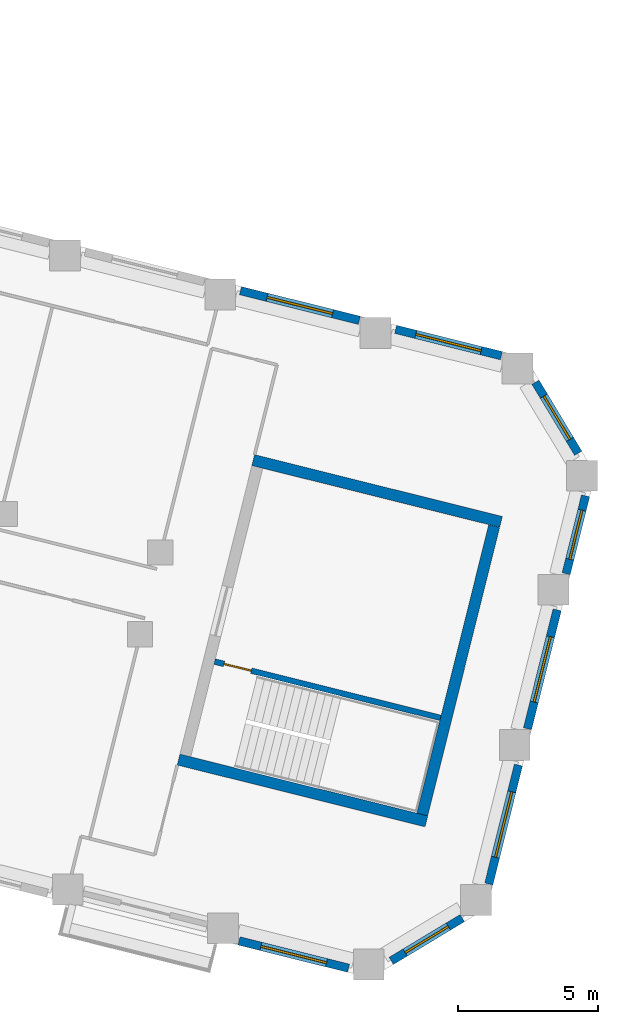
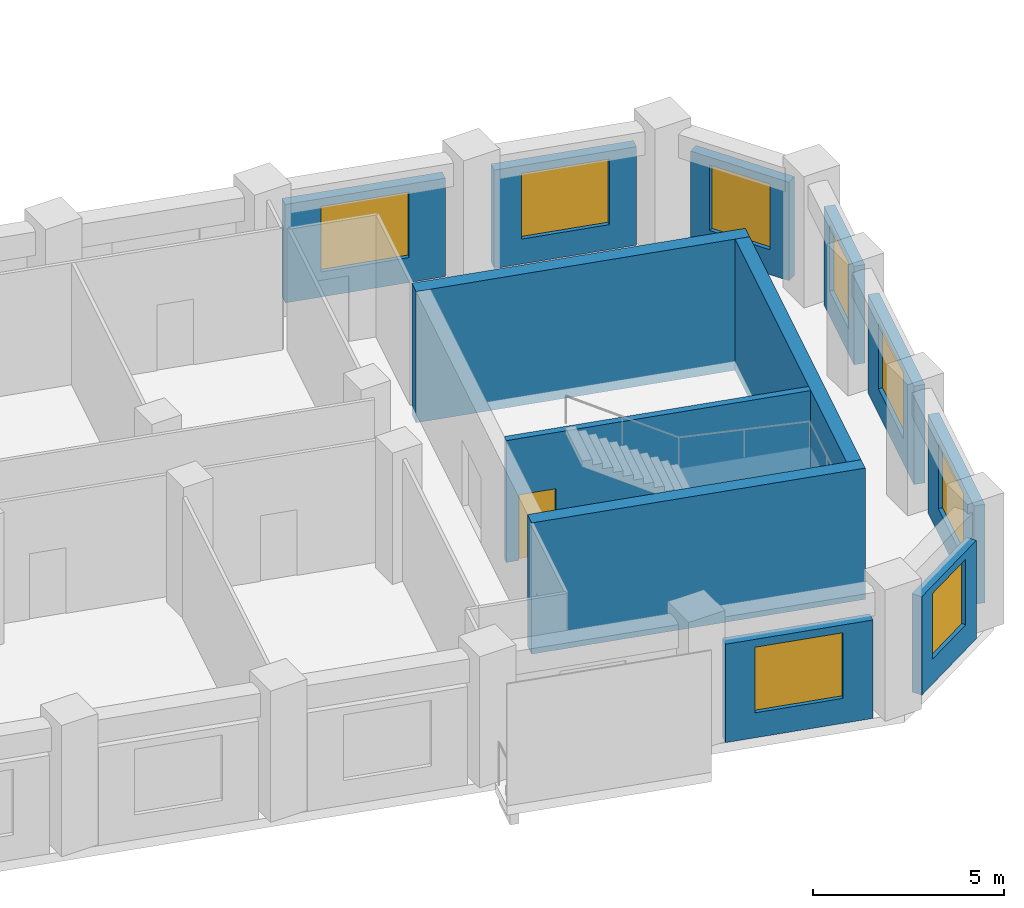
# One storey, part 7 of 10: 12 walls, 8 windows, 1 door, 9 openings.
"""IFC4 building model written with IfcOpenShell, lengths in metres."""

from ifc_helpers import new_model, si_unit, direction, frame, frame_2d, origin, place, context, subcontext, project, spatial, rectangle, extrude, material, layer, layer_set, type_object, element, fill, save


model = new_model("IFC4")

# Units and contexts
model_context = context("Model", 3, precision=1e-05, world=origin(), true_north=direction((0.0, 1.0)))
body_context = subcontext(model_context, "Body", "Model", "MODEL_VIEW")
ifc_project = project(units=[si_unit("LENGTHUNIT", "METRE"), si_unit("AREAUNIT", "SQUARE_METRE"), si_unit("VOLUMEUNIT", "CUBIC_METRE"), si_unit("PLANEANGLEUNIT", "RADIAN"), si_unit("MASSUNIT", "GRAM", prefix="KILO")], contexts=[model_context])

# Site, building, storey
site_placement = place(None, origin())
site = spatial("IfcSite", under=ifc_project, at=site_placement, CompositionType="ELEMENT")
building_placement = place(site_placement, origin())
building = spatial("IfcBuilding", under=site, at=building_placement, Name="Meshkara Civic Tower", CompositionType="ELEMENT")
storey_placement = place(building_placement, frame((0.0, 0.0, 263.39990234375)))
storey = spatial("IfcBuildingStorey", under=building, at=storey_placement, Name="L60", CompositionType="ELEMENT", Elevation=263.39990234375)

# Wall, opening, window
ifc_material_1 = material(Name="Insulated infill panel with bronze anodised aluminium cladding", Category="aluminium")
ifc_layer_1 = layer(ifc_material_1, 0.300048828125)
ifc_layer_set_1 = layer_set([ifc_layer_1], Name="EXTERNAL INFILL WALL 300")
wall_type_1 = type_object("IfcWallType", Name="EXTERNAL INFILL WALL 300", PredefinedType="SOLIDWALL", material=ifc_layer_set_1)
wall_1_placement = place(storey_placement, frame((71.02001953125, 5.635986328125, 0.0), z_axis=(0.0, 0.0, 1.0), x_axis=(-0.970297701374, 0.241913973777, 0.0)))
wall_1 = element("IfcWall", 1, at=wall_1_placement, inside=storey, type_object=wall_type_1, Name="External wall", PredefinedType="SOLIDWALL", context=body_context, shape_type="SweptSolid", body=[
    extrude(rectangle(XDim=3.88134765625, YDim=0.300048828125, at=frame_2d((1.940673828125, 0.0))), origin(), (0.0, 0.0, 1.0), 3.150146484375),
])
opening_1_placement = place(wall_1_placement, frame((0.740966796875, 0.0, 0.800048828125)))
opening_1 = element("IfcOpeningElement", 2, at=opening_1_placement, cuts=wall_1, Name="Opening W7", PredefinedType="OPENING", context=body_context, shape_type="SweptSolid", body=[
    extrude(rectangle(XDim=2.39990234375, YDim=2.10009765625, at=frame_2d((1.199951171875, 1.050048828125))), frame((0.0, 0.159912109375, 0.0), z_axis=(0.0, -1.0, 0.0), x_axis=(1.0, 0.0, 0.0)), (0.0, 0.0, 1.0), 0.320068359375),
])
ifc_material_2 = material(Name="Tinted double glazing", Category="glass")
window_type_1 = type_object("IfcWindowType", Name="WINDOW 2400x2100", PartitioningType="DOUBLE_PANEL_VERTICAL", PredefinedType="WINDOW", material=ifc_material_2)
window_1_placement = place(opening_1_placement, origin())
window_1 = element("IfcWindow", 3, at=window_1_placement, inside=storey, type_object=window_type_1, Name="Window", OverallHeight=2.10009765625, OverallWidth=2.39990234375, PartitioningType="DOUBLE_PANEL_VERTICAL", PredefinedType="WINDOW", context=body_context, shape_type="SweptSolid", body=[
    extrude(rectangle(XDim=2.39990234375, YDim=2.10009765625, at=frame_2d((1.199951171875, 1.050048828125))), frame((0.0, 0.030029296875, 0.0), z_axis=(0.0, -1.0, 0.0), x_axis=(1.0, 0.0, 0.0)), (0.0, 0.0, 1.0), 0.06005859375),
])
fill(opening_1, window_1)

wall_2_placement = place(storey_placement, frame((65.9599609375, 6.89794921875, 0.0), z_axis=(0.0, 0.0, 1.0), x_axis=(-0.970309996763, 0.241864652607, 0.0)))
wall_2 = element("IfcWall", 4, at=wall_2_placement, inside=storey, type_object=wall_type_1, Name="External wall", PredefinedType="SOLIDWALL", context=body_context, shape_type="SweptSolid", body=[
    extrude(rectangle(XDim=4.36669921875, YDim=0.300048828125, at=frame_2d((2.183349609375, 0.0))), origin(), (0.0, 0.0, 1.0), 3.150146484375),
])
opening_2_placement = place(wall_2_placement, frame((0.98291015625, 0.0, 0.800048828125)))
opening_2 = element("IfcOpeningElement", 5, at=opening_2_placement, cuts=wall_2, Name="Opening W7", PredefinedType="OPENING", context=body_context, shape_type="SweptSolid", body=[
    extrude(rectangle(XDim=2.39990234375, YDim=2.10009765625, at=frame_2d((1.199951171875, 1.050048828125))), frame((0.0, 0.159912109375, 0.0), z_axis=(0.0, -1.0, 0.0), x_axis=(1.0, 0.0, 0.0)), (0.0, 0.0, 1.0), 0.320068359375),
])
window_2_placement = place(opening_2_placement, origin())
window_2 = element("IfcWindow", 6, at=window_2_placement, inside=storey, type_object=window_type_1, Name="Window", OverallHeight=2.10009765625, OverallWidth=2.39990234375, PartitioningType="DOUBLE_PANEL_VERTICAL", PredefinedType="WINDOW", context=body_context, shape_type="SweptSolid", body=[
    extrude(rectangle(XDim=2.39990234375, YDim=2.10009765625, at=frame_2d((1.199951171875, 1.050048828125))), frame((0.0, 0.030029296875, 0.0), z_axis=(0.0, -1.0, 0.0), x_axis=(1.0, 0.0, 0.0)), (0.0, 0.0, 1.0), 0.06005859375),
])
fill(opening_2, window_2)

wall_3_placement = place(storey_placement, frame((61.6708984375, -15.220947265625, 0.0), z_axis=(0.0, 0.0, 1.0), x_axis=(0.97026726112, -0.242036034503, 0.0)))
wall_3 = element("IfcWall", 7, at=wall_3_placement, inside=storey, type_object=wall_type_1, Name="External wall", PredefinedType="SOLIDWALL", context=body_context, shape_type="SweptSolid", body=[
    extrude(rectangle(XDim=4.024658203125, YDim=0.300048828125, at=frame_2d((2.01220703125, 0.0))), origin(), (0.0, 0.0, 1.0), 3.150146484375),
])
opening_3_placement = place(wall_3_placement, frame((0.81201171875, 0.0, 0.800048828125)))
opening_3 = element("IfcOpeningElement", 8, at=opening_3_placement, cuts=wall_3, Name="Opening W7", PredefinedType="OPENING", context=body_context, shape_type="SweptSolid", body=[
    extrude(rectangle(XDim=2.39990234375, YDim=2.10009765625, at=frame_2d((1.199951171875, 1.050048828125))), frame((0.0, 0.159912109375, 0.0), z_axis=(0.0, -1.0, 0.0), x_axis=(1.0, 0.0, 0.0)), (0.0, 0.0, 1.0), 0.320068359375),
])
window_3_placement = place(opening_3_placement, origin())
window_3 = element("IfcWindow", 9, at=window_3_placement, inside=storey, type_object=window_type_1, Name="Window", OverallHeight=2.10009765625, OverallWidth=2.39990234375, PartitioningType="DOUBLE_PANEL_VERTICAL", PredefinedType="WINDOW", context=body_context, shape_type="SweptSolid", body=[
    extrude(rectangle(XDim=2.39990234375, YDim=2.10009765625, at=frame_2d((1.199951171875, 1.050048828125))), frame((0.0, 0.030029296875, 0.0), z_axis=(0.0, -1.0, 0.0), x_axis=(1.0, 0.0, 0.0)), (0.0, 0.0, 1.0), 0.06005859375),
])
fill(opening_3, window_3)

wall_4_placement = place(storey_placement, frame((67.097900390625, -15.93408203125, 0.0), z_axis=(0.0, 0.0, 1.0), x_axis=(0.857077006791, 0.515188319384, 0.0)))
wall_4 = element("IfcWall", 10, at=wall_4_placement, inside=storey, type_object=wall_type_1, Name="External wall", PredefinedType="SOLIDWALL", context=body_context, shape_type="SweptSolid", body=[
    extrude(rectangle(XDim=2.9541015625, YDim=0.300048828125, at=frame_2d((1.47705078125, 0.0))), origin(), (0.0, 0.0, 1.0), 3.150146484375),
])
opening_4_placement = place(wall_4_placement, frame((0.576904296875, 0.0, 0.800048828125)))
opening_4 = element("IfcOpeningElement", 11, at=opening_4_placement, cuts=wall_4, Name="Opening W9", PredefinedType="OPENING", context=body_context, shape_type="SweptSolid", body=[
    extrude(rectangle(XDim=1.800048828125, YDim=2.10009765625, at=frame_2d((0.89990234375, 1.050048828125))), frame((0.0, 0.159912109375, 0.0), z_axis=(0.0, -1.0, 0.0), x_axis=(1.0, 0.0, 0.0)), (0.0, 0.0, 1.0), 0.320068359375),
])
ifc_material_3 = material(Name="Tinted double glazing", Category="glass")
window_type_2 = type_object("IfcWindowType", Name="WINDOW 1800x2100", PartitioningType="DOUBLE_PANEL_VERTICAL", PredefinedType="WINDOW", material=ifc_material_3)
window_4_placement = place(opening_4_placement, origin())
window_4 = element("IfcWindow", 12, at=window_4_placement, inside=storey, type_object=window_type_2, Name="Window", OverallHeight=2.10009765625, OverallWidth=1.800048828125, PartitioningType="DOUBLE_PANEL_VERTICAL", PredefinedType="WINDOW", context=body_context, shape_type="SweptSolid", body=[
    extrude(rectangle(XDim=1.800048828125, YDim=2.10009765625, at=frame_2d((0.89990234375, 1.050048828125))), frame((0.0, 0.030029296875, 0.0), z_axis=(0.0, -1.0, 0.0), x_axis=(1.0, 0.0, 0.0)), (0.0, 0.0, 1.0), 0.06005859375),
])
fill(opening_4, window_4)

wall_5_placement = place(storey_placement, frame((70.574951171875, -13.19189453125, 0.0), z_axis=(0.0, 0.0, 1.0), x_axis=(0.241877774353, 0.970306725873, 0.0)))
wall_5 = element("IfcWall", 13, at=wall_5_placement, inside=storey, type_object=wall_type_1, Name="External wall", PredefinedType="SOLIDWALL", context=body_context, shape_type="SweptSolid", body=[
    extrude(rectangle(XDim=4.366455078125, YDim=0.300048828125, at=frame_2d((2.18310546875, 0.0))), origin(), (0.0, 0.0, 1.0), 3.150146484375),
])
opening_5_placement = place(wall_5_placement, frame((0.98291015625, 0.0, 0.800048828125)))
opening_5 = element("IfcOpeningElement", 14, at=opening_5_placement, cuts=wall_5, Name="Opening W7", PredefinedType="OPENING", context=body_context, shape_type="SweptSolid", body=[
    extrude(rectangle(XDim=2.39990234375, YDim=2.10009765625, at=frame_2d((1.199951171875, 1.050048828125))), frame((0.0, 0.159912109375, 0.0), z_axis=(0.0, -1.0, 0.0), x_axis=(1.0, 0.0, 0.0)), (0.0, 0.0, 1.0), 0.320068359375),
])
window_5_placement = place(opening_5_placement, origin())
window_5 = element("IfcWindow", 15, at=window_5_placement, inside=storey, type_object=window_type_1, Name="Window", OverallHeight=2.10009765625, OverallWidth=2.39990234375, PartitioningType="DOUBLE_PANEL_VERTICAL", PredefinedType="WINDOW", context=body_context, shape_type="SweptSolid", body=[
    extrude(rectangle(XDim=2.39990234375, YDim=2.10009765625, at=frame_2d((1.199951171875, 1.050048828125))), frame((0.0, 0.030029296875, 0.0), z_axis=(0.0, -1.0, 0.0), x_axis=(1.0, 0.0, 0.0)), (0.0, 0.0, 1.0), 0.06005859375),
])
fill(opening_5, window_5)

wall_6_placement = place(storey_placement, frame((71.9541015625, -7.660888671875, 0.0), z_axis=(0.0, 0.0, 1.0), x_axis=(0.241877622649, 0.97030676369, 0.0)))
wall_6 = element("IfcWall", 16, at=wall_6_placement, inside=storey, type_object=wall_type_1, Name="External wall", PredefinedType="SOLIDWALL", context=body_context, shape_type="SweptSolid", body=[
    extrude(rectangle(XDim=4.365478515625, YDim=0.300048828125, at=frame_2d((2.1826171875, 0.0))), origin(), (0.0, 0.0, 1.0), 3.150146484375),
])
opening_6_placement = place(wall_6_placement, frame((0.98291015625, 0.0, 0.800048828125)))
opening_6 = element("IfcOpeningElement", 17, at=opening_6_placement, cuts=wall_6, Name="Opening W7", PredefinedType="OPENING", context=body_context, shape_type="SweptSolid", body=[
    extrude(rectangle(XDim=2.39990234375, YDim=2.10009765625, at=frame_2d((1.199951171875, 1.050048828125))), frame((0.0, 0.159912109375, 0.0), z_axis=(0.0, -1.0, 0.0), x_axis=(1.0, 0.0, 0.0)), (0.0, 0.0, 1.0), 0.320068359375),
])
window_6_placement = place(opening_6_placement, origin())
window_6 = element("IfcWindow", 18, at=window_6_placement, inside=storey, type_object=window_type_1, Name="Window", OverallHeight=2.10009765625, OverallWidth=2.39990234375, PartitioningType="DOUBLE_PANEL_VERTICAL", PredefinedType="WINDOW", context=body_context, shape_type="SweptSolid", body=[
    extrude(rectangle(XDim=2.39990234375, YDim=2.10009765625, at=frame_2d((1.199951171875, 1.050048828125))), frame((0.0, 0.030029296875, 0.0), z_axis=(0.0, -1.0, 0.0), x_axis=(1.0, 0.0, 0.0)), (0.0, 0.0, 1.0), 0.06005859375),
])
fill(opening_6, window_6)

wall_7_placement = place(storey_placement, frame((73.3330078125, -2.131103515625, 0.0), z_axis=(0.0, 0.0, 1.0), x_axis=(0.241770612026, 0.970333432981, 0.0)))
wall_7 = element("IfcWall", 19, at=wall_7_placement, inside=storey, type_object=wall_type_1, Name="External wall", PredefinedType="SOLIDWALL", context=body_context, shape_type="SweptSolid", body=[
    extrude(rectangle(XDim=2.853759765625, YDim=0.300048828125, at=frame_2d((1.4267578125, 0.0))), origin(), (0.0, 0.0, 1.0), 3.150146484375),
])
opening_7_placement = place(wall_7_placement, frame((0.527099609375, 0.0, 0.800048828125)))
opening_7 = element("IfcOpeningElement", 20, at=opening_7_placement, cuts=wall_7, Name="Opening W9", PredefinedType="OPENING", context=body_context, shape_type="SweptSolid", body=[
    extrude(rectangle(XDim=1.800048828125, YDim=2.10009765625, at=frame_2d((0.89990234375, 1.050048828125))), frame((0.0, 0.159912109375, 0.0), z_axis=(0.0, -1.0, 0.0), x_axis=(1.0, 0.0, 0.0)), (0.0, 0.0, 1.0), 0.320068359375),
])
window_7_placement = place(opening_7_placement, origin())
window_7 = element("IfcWindow", 21, at=window_7_placement, inside=storey, type_object=window_type_2, Name="Window", OverallHeight=2.10009765625, OverallWidth=1.800048828125, PartitioningType="DOUBLE_PANEL_VERTICAL", PredefinedType="WINDOW", context=body_context, shape_type="SweptSolid", body=[
    extrude(rectangle(XDim=1.800048828125, YDim=2.10009765625, at=frame_2d((0.89990234375, 1.050048828125))), frame((0.0, 0.030029296875, 0.0), z_axis=(0.0, -1.0, 0.0), x_axis=(1.0, 0.0, 0.0)), (0.0, 0.0, 1.0), 0.06005859375),
])
fill(opening_7, window_7)

wall_8_placement = place(storey_placement, frame((73.761962890625, 2.159912109375, 0.0), z_axis=(0.0, 0.0, 1.0), x_axis=(-0.515334317037, 0.856989230786, 0.0)))
wall_8 = element("IfcWall", 22, at=wall_8_placement, inside=storey, type_object=wall_type_1, Name="External wall", PredefinedType="SOLIDWALL", context=body_context, shape_type="SweptSolid", body=[
    extrude(rectangle(XDim=2.953369140625, YDim=0.300048828125, at=frame_2d((1.4765625, 0.0))), origin(), (0.0, 0.0, 1.0), 3.150146484375),
])
opening_8_placement = place(wall_8_placement, frame((0.576904296875, 0.0, 0.800048828125)))
opening_8 = element("IfcOpeningElement", 23, at=opening_8_placement, cuts=wall_8, Name="Opening W9", PredefinedType="OPENING", context=body_context, shape_type="SweptSolid", body=[
    extrude(rectangle(XDim=1.800048828125, YDim=2.10009765625, at=frame_2d((0.89990234375, 1.050048828125))), frame((0.0, 0.159912109375, 0.0), z_axis=(0.0, -1.0, 0.0), x_axis=(1.0, 0.0, 0.0)), (0.0, 0.0, 1.0), 0.320068359375),
])
window_8_placement = place(opening_8_placement, origin())
window_8 = element("IfcWindow", 24, at=window_8_placement, inside=storey, type_object=window_type_2, Name="Window", OverallHeight=2.10009765625, OverallWidth=1.800048828125, PartitioningType="DOUBLE_PANEL_VERTICAL", PredefinedType="WINDOW", context=body_context, shape_type="SweptSolid", body=[
    extrude(rectangle(XDim=1.800048828125, YDim=2.10009765625, at=frame_2d((0.89990234375, 1.050048828125))), frame((0.0, 0.030029296875, 0.0), z_axis=(0.0, -1.0, 0.0), x_axis=(1.0, 0.0, 0.0)), (0.0, 0.0, 1.0), 0.06005859375),
])
fill(opening_8, window_8)

# Walls
ifc_material_4 = material(Name="Concrete C60", Category="concrete")
ifc_layer_2 = layer(ifc_material_4, 0.39990234375)
ifc_layer_set_2 = layer_set([ifc_layer_2], Name="End core ring wall 400 C60")
wall_type_2 = type_object("IfcWallType", Name="End core ring wall 400 C60", PredefinedType="SHEAR", material=ifc_layer_set_2)
wall_9_placement = place(storey_placement, frame((59.51904296875, -8.759033203125, -0.2998046875), z_axis=(0.0, 0.0, 1.0), x_axis=(0.970287509026, -0.241954850805, 0.0)))
element("IfcWall", 25, at=wall_9_placement, inside=storey, type_object=wall_type_2, Name="L60-C027", PredefinedType="SHEAR", context=body_context, shape_type="SweptSolid", body=[
    extrude(rectangle(XDim=9.1005859375, YDim=0.39990234375, at=frame_2d((4.55029296875, 0.0))), origin(), (0.0, 0.0, 1.0), 4.199951171875),
])
wall_10_placement = place(storey_placement, frame((62.179931640625, 1.9140625, -0.2998046875), z_axis=(0.0, 0.0, 1.0), x_axis=(0.970306400786, -0.241879078453, 0.0)))
element("IfcWall", 26, at=wall_10_placement, inside=storey, type_object=wall_type_2, Name="L60-C028", PredefinedType="SHEAR", context=body_context, shape_type="SweptSolid", body=[
    extrude(rectangle(XDim=9.100341796875, YDim=0.39990234375, at=frame_2d((4.55029296875, 0.0))), origin(), (0.0, 0.0, 1.0), 4.199951171875),
])
wall_11_placement = place(storey_placement, frame((68.202880859375, -10.718017578125, -0.2998046875), z_axis=(0.0, 0.0, 1.0), x_axis=(0.241912337509, 0.970298109326, 0.0)))
element("IfcWall", 27, at=wall_11_placement, inside=storey, type_object=wall_type_2, Name="L60-C030", PredefinedType="SHEAR", context=body_context, shape_type="SweptSolid", body=[
    extrude(rectangle(XDim=10.599853515625, YDim=0.39990234375, at=frame_2d((5.2998046875, 0.0))), origin(), (0.0, 0.0, 1.0), 4.199951171875),
])

# Wall, opening, door
ifc_material_5 = material(Name="Concrete C40/50", Category="concrete")
ifc_layer_3 = layer(ifc_material_5, 0.199951171875)
ifc_layer_set_3 = layer_set([ifc_layer_3], Name="Stair enclosure wall 200 C40/50")
wall_type_3 = type_object("IfcWallType", Name="Stair enclosure wall 200 C40/50", PredefinedType="SOLIDWALL", material=ifc_layer_set_3)
wall_12_placement = place(storey_placement, frame((60.802001953125, -5.26611328125, 0.0), z_axis=(0.0, 0.0, 1.0), x_axis=(0.970303192681, -0.241891947516, 0.0)))
wall_12 = element("IfcWall", 28, at=wall_12_placement, inside=storey, type_object=wall_type_3, Name="L60-C031", PredefinedType="SOLIDWALL", context=body_context, shape_type="SweptSolid", body=[
    extrude(rectangle(XDim=8.300537109375, YDim=0.199951171875, at=frame_2d((4.150390625, 0.0))), origin(), (0.0, 0.0, 1.0), 3.900146484375),
])
opening_9_placement = place(wall_12_placement, frame((0.35009765625, 0.0, 0.0)))
opening_9 = element("IfcOpeningElement", 29, at=opening_9_placement, cuts=wall_12, Name="Opening L60-K201", PredefinedType="OPENING", context=body_context, shape_type="SweptSolid", body=[
    extrude(rectangle(XDim=1.0, YDim=2.10009765625, at=frame_2d((0.5, 1.050048828125))), frame((0.0, 0.10986328125, 0.0), z_axis=(0.0, -1.0, 0.0), x_axis=(1.0, 0.0, 0.0)), (0.0, 0.0, 1.0), 0.219970703125),
])
ifc_material_6 = material(Name="Fire-rated door leaf in steel frame", Category="steel")
door_type = type_object("IfcDoorType", Name="Stair door 1000 EI 120", OperationType="SINGLE_SWING_LEFT", PredefinedType="DOOR", material=ifc_material_6)
door_placement = place(opening_9_placement, origin())
door = element("IfcDoor", 30, at=door_placement, inside=storey, type_object=door_type, Name="L60-K201", OperationType="SINGLE_SWING_LEFT", OverallHeight=2.10009765625, OverallWidth=1.0, PredefinedType="DOOR", context=body_context, shape_type="SweptSolid", body=[
    extrude(rectangle(XDim=1.0, YDim=2.10009765625, at=frame_2d((0.5, 1.050048828125))), frame((0.0, 0.02490234375, 0.0), z_axis=(0.0, -1.0, 0.0), x_axis=(1.0, 0.0, 0.0)), (0.0, 0.0, 1.0), 0.050048828125),
])
fill(opening_9, door)

save(model, "model.ifc")
